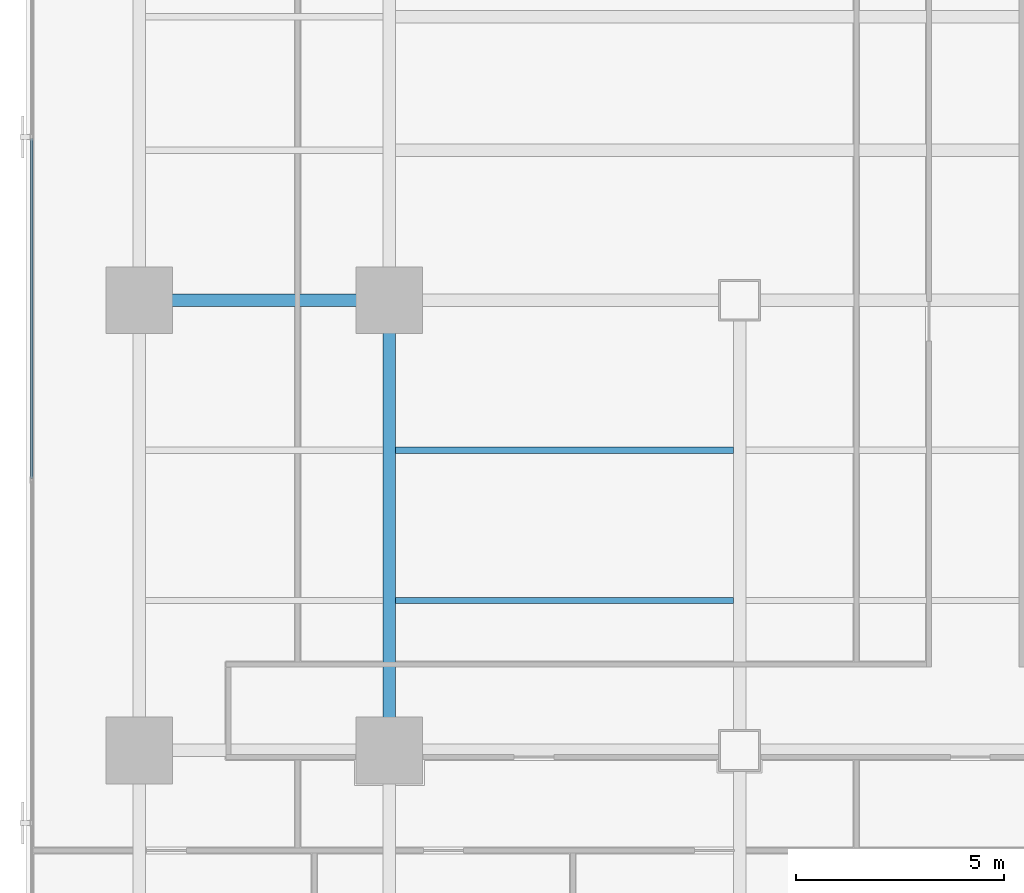
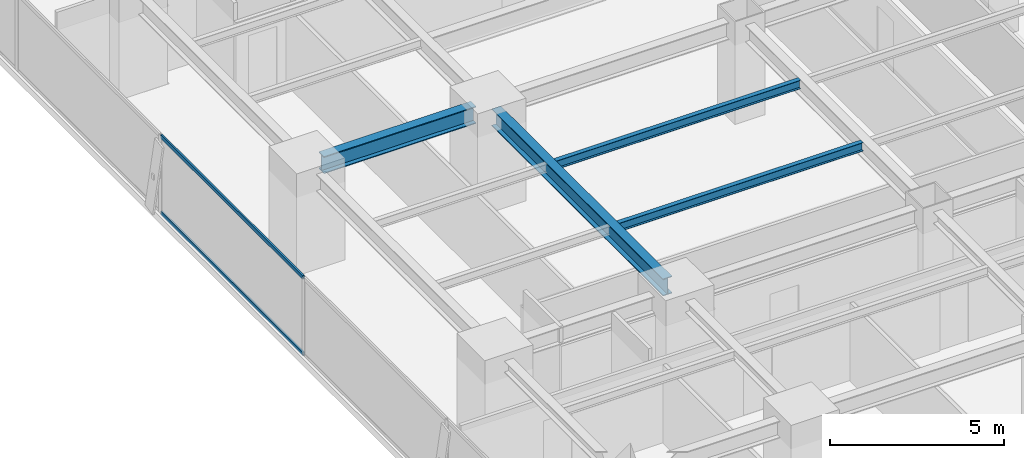
# One storey, part 9 of 37: 4 beams, 2 members, 1 element without a shape of its own.
"""IFC4 building model written with IfcOpenShell, lengths in metres."""

from ifc_helpers import new_model, si_unit, direction, frame, origin, origin_2d, place, context, subcontext, project, spatial, hollow_rectangle, i_section, extrude, source, transform, mapped, material, layer, layer_set, material_profile, profile_set, type_object, element, aggregate, save


model = new_model("IFC4")

# Units and contexts
model_context = context("Model", 3, precision=1e-05, world=origin(), true_north=direction((0.0, 1.0)))
body_context = subcontext(model_context, "Body", "Model", "MODEL_VIEW")
ifc_project = project(units=[si_unit("LENGTHUNIT", "METRE"), si_unit("AREAUNIT", "SQUARE_METRE"), si_unit("VOLUMEUNIT", "CUBIC_METRE"), si_unit("PLANEANGLEUNIT", "RADIAN"), si_unit("MASSUNIT", "GRAM", prefix="KILO")], contexts=[model_context])

# Site, building, storey
site_placement = place(None, origin())
site = spatial("IfcSite", under=ifc_project, at=site_placement, CompositionType="ELEMENT")
building_placement = place(site_placement, origin())
building = spatial("IfcBuilding", under=site, at=building_placement, Name="Sumidabori Civic Tower", CompositionType="ELEMENT")
storey_placement = place(building_placement, frame((0.0, 0.0, 81.199951171875)))
storey = spatial("IfcBuildingStorey", under=building, at=storey_placement, Name="L20", CompositionType="ELEMENT", Elevation=81.199951171875)

# Beams
ifc_material_1 = material(Name="Steel SN490", Category="steel")
ifc_material_profile_1 = material_profile(ifc_material_1, i_section(OverallWidth=0.300048828125, OverallDepth=0.60009765625, WebThickness=0.015380859375, FlangeThickness=0.030029296875, at=origin_2d()), Name="HE 600 B")
ifc_profile_set_1 = profile_set([ifc_material_profile_1], Name="Steel SN490")
beam_type_1 = type_object("IfcBeamType", Name="BM-GIRD-600", PredefinedType="BEAM", material=ifc_profile_set_1)
shared_shape_1 = source(origin(), body_context, "Body", "SweptSolid", [
    extrude(i_section(OverallWidth=0.300048828125, OverallDepth=0.60009765625, WebThickness=0.015380859375, FlangeThickness=0.030029296875, at=origin_2d()), origin(), (0.0, 0.0, 1.0), 5.0400390625),
])
beam_1_placement = place(storey_placement, frame((-22.320068359375, 0.0, 3.06005859375), z_axis=(1.0, 0.0, 0.0), x_axis=(0.0, 1.0, 0.0)))
element("IfcBeam", 1, at=beam_1_placement, inside=storey, type_object=beam_type_1, Name="Primary Girder L20 GX-13", PredefinedType="BEAM", context=body_context, shape_type="MappedRepresentation", body=[
    mapped(shared_shape_1, transform((0.0, 0.0, 0.0), x_axis=(1.0, 0.0, 0.0), y_axis=(0.0, 1.0, 0.0), z_axis=(0.0, 0.0, 1.0), scale=1.0)),
])
shared_shape_2 = source(origin(), body_context, "Body", "SweptSolid", [
    extrude(i_section(OverallWidth=0.300048828125, OverallDepth=0.60009765625, WebThickness=0.015380859375, FlangeThickness=0.030029296875, at=origin_2d()), origin(), (0.0, 0.0, 1.0), 9.840087890625),
])
beam_2_placement = place(storey_placement, frame((-16.800048828125, -10.320068359375, 3.06005859375), z_axis=(0.0, 1.0, 0.0), x_axis=(-1.0, 0.0, 0.0)))
element("IfcBeam", 2, at=beam_2_placement, inside=storey, type_object=beam_type_1, Name="Primary Girder L20 GY-26", PredefinedType="BEAM", context=body_context, shape_type="MappedRepresentation", body=[
    mapped(shared_shape_2, transform((0.0, 0.0, 0.0), x_axis=(1.0, 0.0, 0.0), y_axis=(0.0, 1.0, 0.0), z_axis=(0.0, 0.0, 1.0), scale=1.0)),
])
ifc_material_profile_2 = material_profile(ifc_material_1, i_section(OverallWidth=0.14990234375, OverallDepth=0.300048828125, WebThickness=0.007080078125, FlangeThickness=0.0107421875, at=origin_2d()), Name="IPE 300")
ifc_profile_set_2 = profile_set([ifc_material_profile_2], Name="Steel SN490")
beam_type_2 = type_object("IfcBeamType", Name="BM-JST-300", PredefinedType="JOIST", material=ifc_profile_set_2)
shared_shape_3 = source(origin(), body_context, "Body", "SweptSolid", [
    extrude(i_section(OverallWidth=0.14990234375, OverallDepth=0.300048828125, WebThickness=0.007080078125, FlangeThickness=0.0107421875, at=origin_2d()), origin(), (0.0, 0.0, 1.0), 8.099853515625),
])
for number, where, z_axis, x_axis, name in (
    (3, (-16.64990234375, -7.199951171875, 3.2099609375), (1.0, 0.0, 0.0), (0.0, 1.0, 0.0), "South Bay Floor Joist L20 JSTS-59"),
    (4, (-16.64990234375, -3.60009765625, 3.2099609375), (1.0, 0.0, 0.0), (0.0, 1.0, 0.0), "South Bay Floor Joist L20 JSTS-63"),
):
    element("IfcBeam", number, at=place(storey_placement, frame(where, z_axis=z_axis, x_axis=x_axis)), inside=storey, type_object=beam_type_2, Name=name, PredefinedType="JOIST", context=body_context, shape_type="MappedRepresentation", body=[
        mapped(shared_shape_3, transform((0.0, 0.0, 0.0), x_axis=(1.0, 0.0, 0.0), y_axis=(0.0, 1.0, 0.0), z_axis=(0.0, 0.0, 1.0), scale=1.0)),
    ])

# Curtain wall, members
ifc_material_2 = material(Name="Anodised Bronze Aluminium AW-6063-T6", Category="aluminium")
ifc_layer = layer(ifc_material_2, 0.179931640625, Name="Anodised Bronze Aluminium AW-6063-T6")
ifc_layer_set = layer_set([ifc_layer], Name="Anodised Bronze Aluminium AW-6063-T6")
curtain_wall_type = type_object("IfcCurtainWallType", Name="CW-SYS-3", PredefinedType="NOTDEFINED", material=ifc_layer_set)
curtain_wall_placement = place(storey_placement, origin())
curtain_wall = element("IfcCurtainWall", 5, at=curtain_wall_placement, inside=storey, type_object=curtain_wall_type, Name="Curtain Wall CW:L20:R10", PredefinedType="NOTDEFINED")
ifc_material_profile_3 = material_profile(ifc_material_2, hollow_rectangle(XDim=0.06005859375, YDim=0.1298828125, WallThickness=0.0048828125, at=origin_2d()), Name="ALU TRANSOM 130x60")
ifc_profile_set_3 = profile_set([ifc_material_profile_3], Name="Anodised Bronze Aluminium AW-6063-T6")
member_type = type_object("IfcMemberType", Name="CW-TRN-130", PredefinedType="USERDEFINED", material=ifc_profile_set_3)
shared_shape_4 = source(origin(), body_context, "Body", "SweptSolid", [
    extrude(hollow_rectangle(XDim=0.06005859375, YDim=0.1298828125, WallThickness=0.0048828125, at=origin_2d()), origin(), (0.0, 0.0, 1.0), 8.1630859375),
])
member_1_placement = place(storey_placement, frame((-25.3798828125, 3.881591796875, 0.030029296875), z_axis=(0.0, -1.0, 0.0), x_axis=(1.0, 0.0, 0.0)))
member_1 = element("IfcMember", 6, at=member_1_placement, type_object=member_type, Name="CW-3 transom 3.1", ObjectType="TRANSOM", PredefinedType="USERDEFINED", context=body_context, shape_type="MappedRepresentation", body=[
    mapped(shared_shape_4, transform((0.0, 0.0, 0.0), x_axis=(1.0, 0.0, 0.0), y_axis=(0.0, 1.0, 0.0), z_axis=(0.0, 0.0, 1.0), scale=1.0)),
])
member_2_placement = place(storey_placement, frame((-25.3798828125, 3.881591796875, 2.7099609375), z_axis=(0.0, -1.0, 0.0), x_axis=(1.0, 0.0, 0.0)))
member_2 = element("IfcMember", 7, at=member_2_placement, type_object=member_type, Name="CW-3 transom 3.2", ObjectType="TRANSOM", PredefinedType="USERDEFINED", context=body_context, shape_type="MappedRepresentation", body=[
    mapped(shared_shape_4, transform((0.0, 0.0, 0.0), x_axis=(1.0, 0.0, 0.0), y_axis=(0.0, 1.0, 0.0), z_axis=(0.0, 0.0, 1.0), scale=1.0)),
])
aggregate(curtain_wall, [member_1, member_2])

save(model, "model.ifc")
